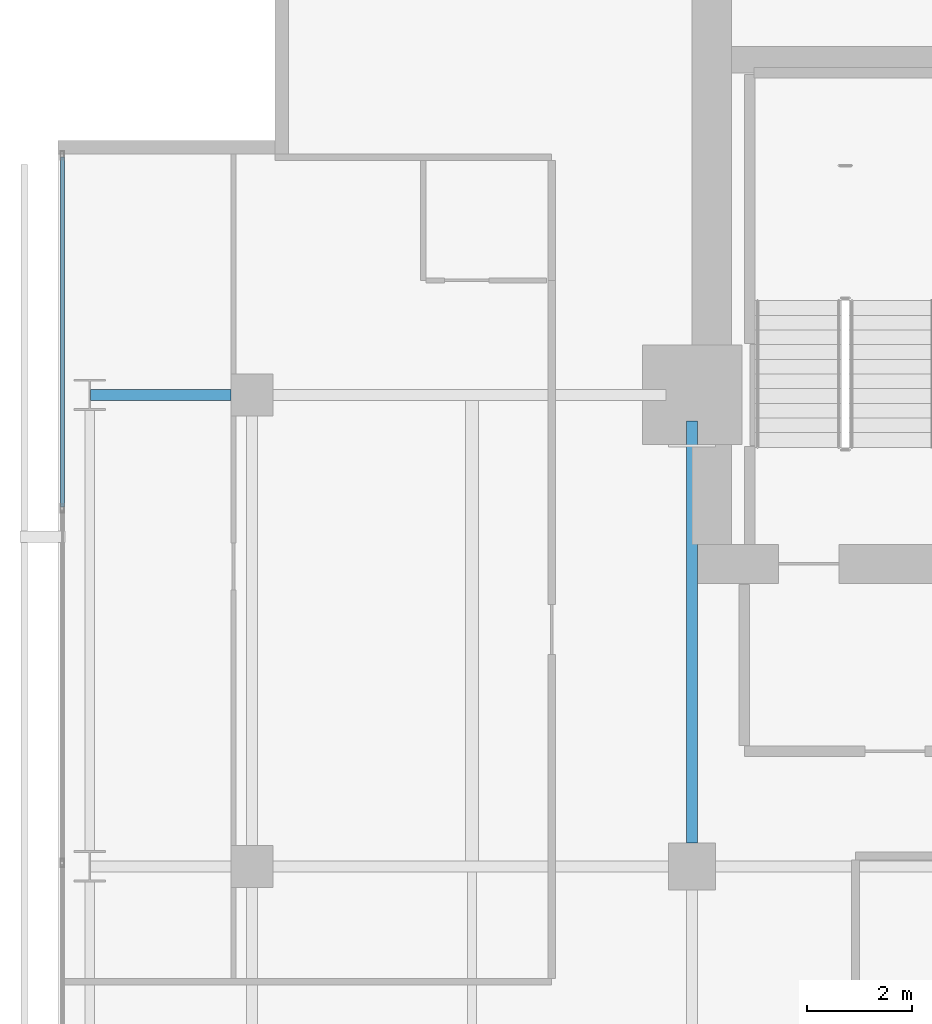
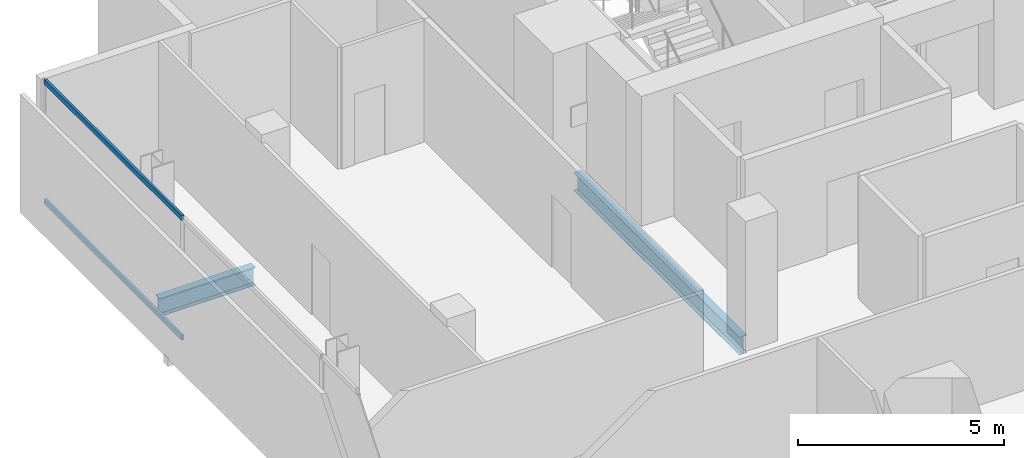
# One storey, part 19 of 33: 2 beams, 2 members, 1 element without a shape of its own.
"""IFC4 building model written with IfcOpenShell, lengths in metres."""

from ifc_helpers import new_model, si_unit, direction, frame, origin, origin_2d, place, context, subcontext, project, spatial, hollow_rectangle, i_section, extrude, material, layer, layer_set, material_profile, profile_set, type_object, element, aggregate, save


model = new_model("IFC4")

# Units and contexts
model_context = context("Model", 3, precision=1e-05, world=origin(), true_north=direction((0.0, 1.0)))
body_context = subcontext(model_context, "Body", "Model", "MODEL_VIEW")
ifc_project = project(units=[si_unit("LENGTHUNIT", "METRE"), si_unit("AREAUNIT", "SQUARE_METRE"), si_unit("VOLUMEUNIT", "CUBIC_METRE"), si_unit("PLANEANGLEUNIT", "RADIAN"), si_unit("MASSUNIT", "GRAM", prefix="KILO")], contexts=[model_context])

# Site, building, storey
site_placement = place(None, origin())
site = spatial("IfcSite", under=ifc_project, at=site_placement, CompositionType="ELEMENT")
building_placement = place(site_placement, origin())
building = spatial("IfcBuilding", under=site, at=building_placement, Name="Maruvema Waterfront Hotel and Observation Tower", CompositionType="ELEMENT")
storey_placement = place(building_placement, frame((0.0, 0.0, 200.550048828125)))
storey = spatial("IfcBuildingStorey", under=building, at=storey_placement, Name="L49", CompositionType="ELEMENT", Elevation=200.550048828125)

# Curtain wall, members
ifc_material_1 = material(Name="Anodised bronze aluminium and solar-control low-E IGU", Category="aluminium")
ifc_layer = layer(ifc_material_1, 0.159912109375, Name="Zone 2 Amber Inner Thermal Curtain Wall System CW-03")
ifc_layer_set = layer_set([ifc_layer], Name="Anodised bronze aluminium and solar-control low-E IGU")
curtain_wall_type = type_object("IfcCurtainWallType", Name="Zone 2 Amber Inner Thermal Curtain Wall System CW-03", PredefinedType="USERDEFINED", material=ifc_layer_set)
curtain_wall_placement = place(storey_placement, origin())
curtain_wall = element("IfcCurtainWall", 1, at=curtain_wall_placement, inside=storey, type_object=curtain_wall_type, Name="L49 Curtain Wall CW-L49-W", ObjectType="UNITISED CURTAIN WALL", PredefinedType="USERDEFINED")
ifc_material_2 = material(Name="Anodised architectural bronze aluminium", Category="aluminium")
ifc_material_profile_1 = material_profile(ifc_material_2, hollow_rectangle(XDim=0.070068359375, YDim=0.14990234375, WallThickness=0.00390625, at=origin_2d()), Name="ALU-T70x150")
ifc_profile_set_1 = profile_set([ifc_material_profile_1], Name="Anodised architectural bronze aluminium")
member_type = type_object("IfcMemberType", Name="Curtain Wall Horizontal Transom ALU-T70x150", PredefinedType="USERDEFINED", material=ifc_profile_set_1)
member_1_placement = place(storey_placement, frame((13.179931640625, 49.5400390625, 0.030029296875), z_axis=(0.0, -1.0, 0.0), x_axis=(1.0, 0.0, 0.0)))
member_1 = element("IfcMember", 2, at=member_1_placement, type_object=member_type, Name="CW-03 transom 1.1", ObjectType="TRANSOM", PredefinedType="USERDEFINED", context=body_context, shape_type="SweptSolid", body=[
    extrude(hollow_rectangle(XDim=0.070068359375, YDim=0.14990234375, WallThickness=0.00390625, at=origin_2d()), origin(), (0.0, 0.0, 1.0), 6.6767578125),
])
member_2_placement = place(storey_placement, frame((13.179931640625, 49.5400390625, 3.579833984375), z_axis=(0.0, -1.0, 0.0), x_axis=(1.0, 0.0, 0.0)))
member_2 = element("IfcMember", 3, at=member_2_placement, type_object=member_type, Name="CW-03 transom 1.2", ObjectType="TRANSOM", PredefinedType="USERDEFINED", context=body_context, shape_type="SweptSolid", body=[
    extrude(hollow_rectangle(XDim=0.070068359375, YDim=0.14990234375, WallThickness=0.00390625, at=origin_2d()), origin(), (0.0, 0.0, 1.0), 6.6767578125),
])
aggregate(curtain_wall, [member_1, member_2])

# Beams
ifc_material_3 = material(Name="Steel ASTM A572 Grade 50", Category="steel")
ifc_material_profile_2 = material_profile(ifc_material_3, i_section(OverallWidth=0.2109375, OverallDepth=0.5390625, WebThickness=0.01171875, FlangeThickness=0.018798828125, FilletRadius=0.014892578125, at=origin_2d()), Name="W530x109.0")
ifc_profile_set_2 = profile_set([ifc_material_profile_2], Name="Steel ASTM A572 Grade 50")
beam_type = type_object("IfcBeamType", Name="Primary Floor Girder W530x109.0", PredefinedType="BEAM", material=ifc_profile_set_2)
beam_1_placement = place(storey_placement, frame((13.71240234375, 45.0, -0.509521484375), z_axis=(1.0, 0.0, 0.0), x_axis=(0.0, 1.0, 0.0)))
element("IfcBeam", 4, at=beam_1_placement, inside=storey, type_object=beam_type, Name="L49 Floor Girder EW-30", PredefinedType="BEAM", context=body_context, shape_type="SweptSolid", body=[
    extrude(i_section(OverallWidth=0.2109375, OverallDepth=0.5390625, WebThickness=0.01171875, FlangeThickness=0.018798828125, FilletRadius=0.014892578125, at=origin_2d()), origin(), (0.0, 0.0, 1.0), 2.6875),
])
beam_2_placement = place(storey_placement, frame((25.199951171875, 36.449951171875, -0.509521484375), z_axis=(0.0, 1.0, 0.0), x_axis=(-1.0, 0.0, 0.0)))
element("IfcBeam", 5, at=beam_2_placement, inside=storey, type_object=beam_type, Name="L49 Floor Girder NS-13", PredefinedType="BEAM", context=body_context, shape_type="SweptSolid", body=[
    extrude(i_section(OverallWidth=0.2109375, OverallDepth=0.5390625, WebThickness=0.01171875, FlangeThickness=0.018798828125, FilletRadius=0.014892578125, at=origin_2d()), origin(), (0.0, 0.0, 1.0), 8.050048828125),
])

save(model, "model.ifc")
